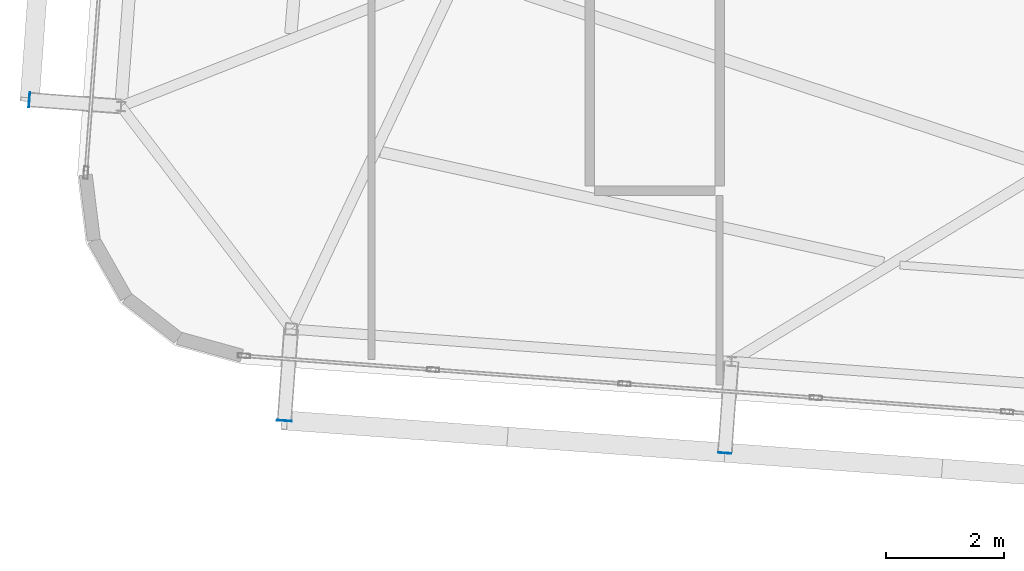
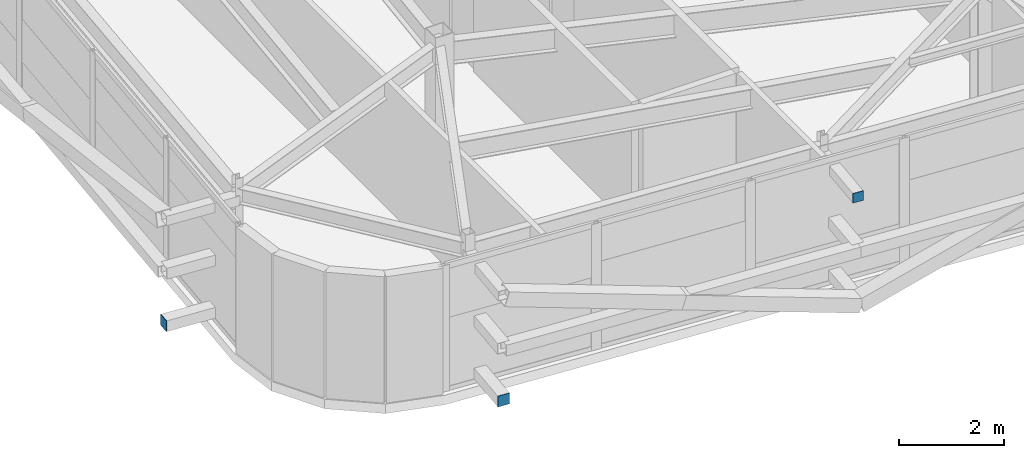
# One storey, part 31 of 42: 3 plates.
"""IFC4 building model written with IfcOpenShell, lengths in metres."""

from ifc_helpers import new_model, si_unit, direction, frame, origin, origin_2d, place, context, subcontext, project, spatial, rectangle, extrude, source, transform, mapped, material, layer, layer_set, type_object, element, save


model = new_model("IFC4")

# Units and contexts
model_context = context("Model", 3, precision=1e-05, world=origin(), true_north=direction((0.0, 1.0)))
body_context = subcontext(model_context, "Body", "Model", "MODEL_VIEW")
ifc_project = project(units=[si_unit("LENGTHUNIT", "METRE"), si_unit("AREAUNIT", "SQUARE_METRE"), si_unit("VOLUMEUNIT", "CUBIC_METRE"), si_unit("PLANEANGLEUNIT", "RADIAN"), si_unit("MASSUNIT", "GRAM", prefix="KILO")], contexts=[model_context])

# Site, building, storey
site_placement = place(None, origin())
site = spatial("IfcSite", under=ifc_project, at=site_placement, CompositionType="ELEMENT")
building_placement = place(site_placement, origin())
building = spatial("IfcBuilding", under=site, at=building_placement, Name="Taldren Reach Tower", CompositionType="ELEMENT")
storey_placement = place(building_placement, frame((0.0, 0.0, 214.550048828125)))
storey = spatial("IfcBuildingStorey", under=building, at=storey_placement, Name="L65", CompositionType="ELEMENT", Elevation=214.550048828125)

# Plates
ifc_material_1 = material(Name="Steel Gr 350 (C350L0)", Category="steel")
ifc_layer_1 = layer(ifc_material_1, 0.011962890625)
ifc_layer_set_1 = layer_set([ifc_layer_1], Name="Steel Gr 350 (C350L0)")
plate_type_1 = type_object("IfcPlateType", Name="PL-CAP-250", PredefinedType="SHEET", material=ifc_layer_set_1)
shared_shape_1 = source(origin(), body_context, "Body", "SweptSolid", [
    extrude(rectangle(XDim=0.25, YDim=0.011962890625, at=origin_2d()), origin(), (0.0, 0.0, 1.0), 0.25),
])
plate_1_placement = place(storey_placement, frame((15.026611328125, 4.908447265625, 0.094970703125), z_axis=(0.0, 0.0, 1.0), x_axis=(0.997314477224, -0.073238197128, 0.0)))
element("IfcPlate", 1, at=plate_1_placement, inside=storey, type_object=plate_type_1, Name="Tie strut end cap plate B5-S1 L65", PredefinedType="SHEET", context=body_context, shape_type="MappedRepresentation", body=[
    mapped(shared_shape_1, transform((0.0, 0.0, 0.0), scale=1.0)),
])
shared_shape_2 = source(origin(), body_context, "Body", "SweptSolid", [
    extrude(rectangle(XDim=0.011962890625, YDim=0.25, at=origin_2d()), origin(), (0.0, 0.0, 1.0), 0.25),
])
plate_2_placement = place(storey_placement, frame((10.707275390625, 10.345458984375, 0.094970703125), z_axis=(0.0, 0.0, 1.0), x_axis=(0.997314477224, -0.073238197128, 0.0)))
element("IfcPlate", 2, at=plate_2_placement, inside=storey, type_object=plate_type_1, Name="Tie strut end cap plate B5-W1 L65", PredefinedType="SHEET", context=body_context, shape_type="MappedRepresentation", body=[
    mapped(shared_shape_2, transform((0.0, 0.0, 0.0), scale=1.0)),
])
ifc_material_2 = material(Name="Steel Gr 450 (C450L0)", Category="steel")
ifc_layer_2 = layer(ifc_material_2, 0.011962890625)
ifc_layer_set_2 = layer_set([ifc_layer_2], Name="Steel Gr 450 (C450L0)")
plate_type_2 = type_object("IfcPlateType", Name="PL-CAP-220", PredefinedType="SHEET", material=ifc_layer_set_2)
shared_shape_3 = source(origin(), body_context, "Body", "SweptSolid", [
    extrude(rectangle(XDim=0.219970703125, YDim=0.011962890625, at=origin_2d()), origin(), (0.0, 0.0, 1.0), 0.219970703125),
])
plate_3_placement = place(storey_placement, frame((22.486572265625, 4.360595703125, 2.5400390625), z_axis=(0.0, 0.0, 1.0), x_axis=(0.997314477224, -0.073238197128, 0.0)))
element("IfcPlate", 3, at=plate_3_placement, inside=storey, type_object=plate_type_2, Name="Tie strut end cap plate B5-S2 L65", PredefinedType="SHEET", context=body_context, shape_type="MappedRepresentation", body=[
    mapped(shared_shape_3, transform((0.0, 0.0, 0.0), scale=1.0)),
])

save(model, "model.ifc")
